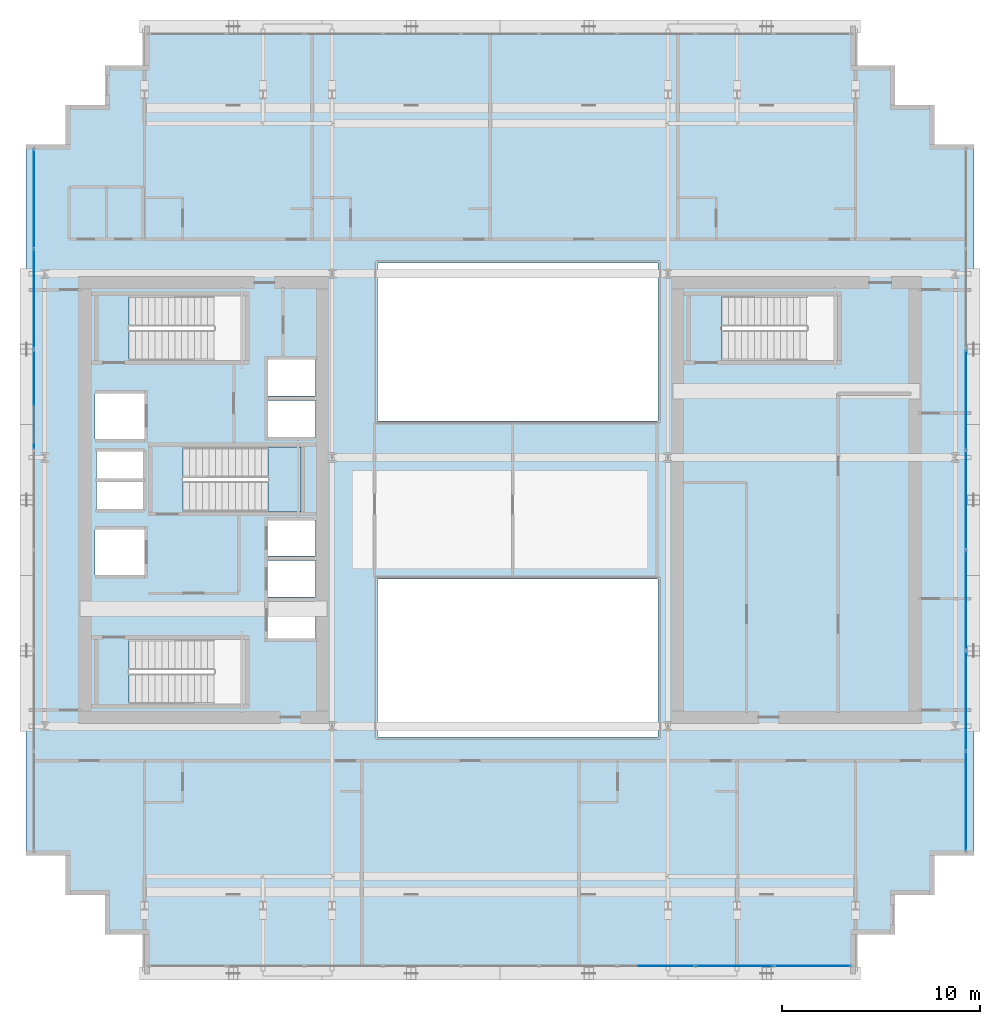
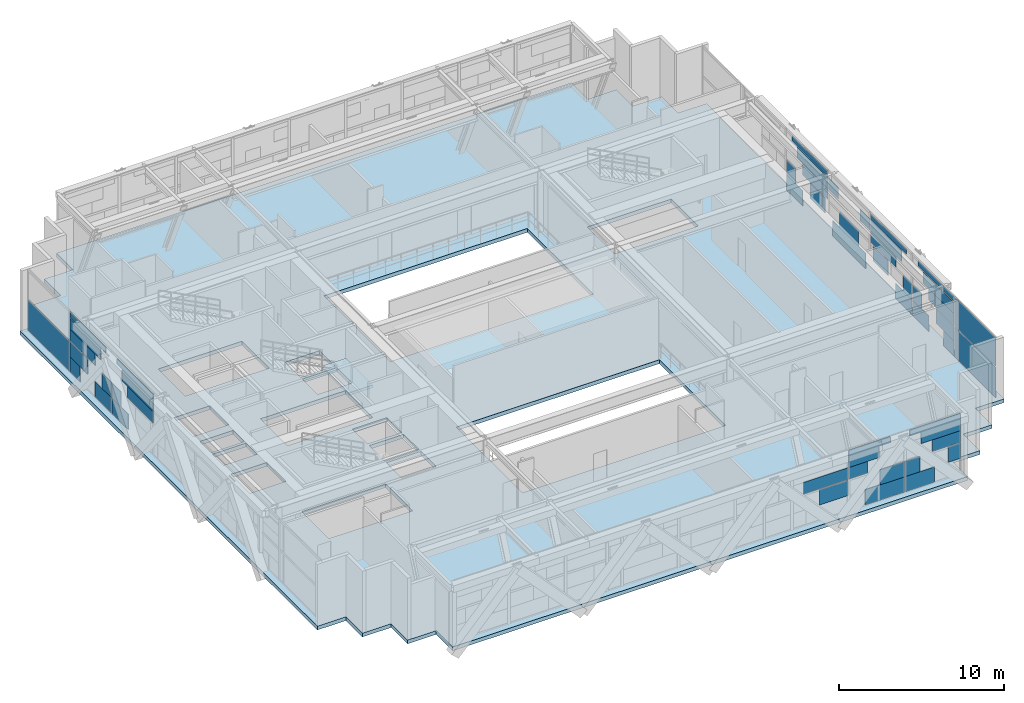
# One storey, part 24 of 35: 51 plates, 2 slabs, 4 elements without a shape of their own.
"""IFC4 building model written with IfcOpenShell, lengths in metres."""

from ifc_helpers import new_model, si_unit, direction, frame, origin, origin_2d, place, context, subcontext, project, spatial, polyline, rectangle, outline, extrude, source, transform, mapped, material, layer, layer_set, type_object, element, aggregate, save


model = new_model("IFC4")

# Units and contexts
model_context = context("Model", 3, precision=1e-05, world=origin(), true_north=direction((0.0, 1.0)))
body_context = subcontext(model_context, "Body", "Model", "MODEL_VIEW")
ifc_project = project(units=[si_unit("LENGTHUNIT", "METRE"), si_unit("AREAUNIT", "SQUARE_METRE"), si_unit("VOLUMEUNIT", "CUBIC_METRE"), si_unit("PLANEANGLEUNIT", "RADIAN"), si_unit("MASSUNIT", "GRAM", prefix="KILO")], contexts=[model_context])

# Site, building, storey
site_placement = place(None, origin())
site = spatial("IfcSite", under=ifc_project, at=site_placement, CompositionType="ELEMENT")
building_placement = place(site_placement, origin())
building = spatial("IfcBuilding", under=site, at=building_placement, Name="Ocotamira Hotel", CompositionType="ELEMENT")
storey_placement = place(building_placement, frame((0.0, 0.0, 158.39990234375)))
storey = spatial("IfcBuildingStorey", under=building, at=storey_placement, Name="L39", CompositionType="ELEMENT", Elevation=158.39990234375)

# Stair, slab
ifc_material_1 = material(Name="Concrete C40/50", Category="concrete")
stair_type = type_object("IfcStairType", Name="ST-CORE-1560", PredefinedType="HALF_TURN_STAIR", material=ifc_material_1)
stair_placement = place(storey_placement, origin())
stair = element("IfcStair", 1, at=stair_placement, inside=storey, type_object=stair_type, Name="L39 Exit Stair ST-3", PredefinedType="HALF_TURN_STAIR")
ifc_layer_1 = layer(ifc_material_1, 0.199951171875)
ifc_layer_set_1 = layer_set([ifc_layer_1], Name="Concrete C40/50")
slab_type_1 = type_object("IfcSlabType", Name="SLB-LAND-200", PredefinedType="LANDING", material=ifc_layer_set_1)
slab_1_placement = place(storey_placement, frame((0.0, 0.0, 2.2001953125)))
slab_1 = element("IfcSlab", 2, at=slab_1_placement, type_object=slab_type_1, Name="ST-3 landing 1", PredefinedType="LANDING", context=body_context, shape_type="SweptSolid", body=[
    extrude(outline(polyline([(20.25, 25.39990234375), (21.919921875, 25.39990234375), (21.919921875, 28.679931640625), (20.25, 28.679931640625), (20.25, 25.39990234375)])), origin(), (0.0, 0.0, 1.0), 0.199951171875),
])
aggregate(stair, [slab_1])

# Slab
ifc_layer_2 = layer(ifc_material_1, 0.280029296875)
ifc_layer_set_2 = layer_set([ifc_layer_2], Name="Concrete C40/50")
slab_type_2 = type_object("IfcSlabType", Name="SLB-SKY-280", PredefinedType="FLOOR", material=ifc_layer_set_2)
slab_2_placement = place(storey_placement, frame((0.0, 0.0, -0.27978515625)))
element("IfcSlab", 3, at=slab_2_placement, inside=storey, type_object=slab_type_2, Name="L39 Structural Floor Slab", PredefinedType="FLOOR", context=body_context, shape_type="SweptSolid", body=[
    extrude(outline(polyline([(14.0, 2.0), (50.0, 2.0), (50.0, 4.0), (52.0, 4.0), (52.0, 6.0), (54.0, 6.0), (54.0, 8.0), (56.0, 8.0), (56.0, 44.0), (54.0, 44.0), (54.0, 46.0), (52.0, 46.0), (52.0, 48.0), (50.0, 48.0), (50.0, 50.0), (14.0, 50.0), (14.0, 48.0), (12.0, 48.0), (12.0, 46.0), (10.0, 46.0), (10.0, 44.0), (8.0, 44.0), (8.0, 8.0), (10.0, 8.0), (10.0, 6.0), (12.0, 6.0), (12.0, 4.0), (14.0, 4.0), (14.0, 2.0)]), holes=[polyline([(25.800048828125, 14.0), (40.0, 14.0), (40.0, 22.0), (25.800048828125, 22.0), (25.800048828125, 14.0)]), polyline([(25.800048828125, 30.0), (40.0, 30.0), (40.0, 38.0), (25.800048828125, 38.0), (25.800048828125, 30.0)]), polyline([(13.22998046875, 15.669921875), (19.090087890625, 15.669921875), (19.090087890625, 18.949951171875), (13.22998046875, 18.949951171875), (13.22998046875, 15.669921875)]), polyline([(13.22998046875, 33.050048828125), (19.090087890625, 33.050048828125), (19.090087890625, 36.330078125), (13.22998046875, 36.330078125), (13.22998046875, 33.050048828125)]), polyline([(15.9599609375, 25.39990234375), (21.919921875, 25.39990234375), (21.919921875, 28.679931640625), (15.9599609375, 28.679931640625), (15.9599609375, 25.39990234375)]), polyline([(43.22998046875, 33.050048828125), (49.090087890625, 33.050048828125), (49.090087890625, 36.330078125), (43.22998046875, 36.330078125), (43.22998046875, 33.050048828125)]), polyline([(20.25, 19.0), (22.659912109375, 19.0), (22.659912109375, 20.85009765625), (20.25, 20.85009765625), (20.25, 19.0)]), polyline([(20.25, 21.080078125), (22.659912109375, 21.080078125), (22.659912109375, 22.929931640625), (20.25, 22.929931640625), (20.25, 21.080078125)]), polyline([(20.25, 23.159912109375), (22.659912109375, 23.159912109375), (22.659912109375, 24.9599609375), (20.25, 24.9599609375), (20.25, 23.159912109375)]), polyline([(20.25, 29.179931640625), (22.659912109375, 29.179931640625), (22.659912109375, 31.030029296875), (20.25, 31.030029296875), (20.25, 29.179931640625)]), polyline([(20.25, 31.260009765625), (22.659912109375, 31.260009765625), (22.659912109375, 33.110107421875), (20.25, 33.110107421875), (20.25, 31.260009765625)]), polyline([(11.5, 22.199951171875), (14.0, 22.199951171875), (14.0, 24.5), (11.5, 24.5), (11.5, 22.199951171875)]), polyline([(11.5, 29.10009765625), (14.0, 29.10009765625), (14.0, 31.39990234375), (11.5, 31.39990234375), (11.5, 29.10009765625)]), polyline([(11.580078125, 25.550048828125), (13.919921875, 25.550048828125), (13.919921875, 26.89990234375), (11.580078125, 26.89990234375), (11.580078125, 25.550048828125)]), polyline([(11.580078125, 27.10009765625), (13.919921875, 27.10009765625), (13.919921875, 28.449951171875), (11.580078125, 28.449951171875), (11.580078125, 27.10009765625)])]), origin(), (0.0, 0.0, 1.0), 0.27978515625),
])

# Curtain wall, plate
ifc_material_2 = material(Name="Anodised pale-metal aluminium and solar glass", Category="aluminium")
ifc_layer_3 = layer(ifc_material_2, 0.239990234375)
ifc_layer_set_3 = layer_set([ifc_layer_3], Name="Anodised pale-metal aluminium and solar glass")
curtain_wall_type = type_object("IfcCurtainWallType", Name="CW-SYS5-SKY", PredefinedType="NOTDEFINED", material=ifc_layer_set_3)
curtain_wall_1_placement = place(storey_placement, origin())
curtain_wall_1 = element("IfcCurtainWall", 4, at=curtain_wall_1_placement, inside=storey, type_object=curtain_wall_type, Name="L39 Curtain Wall CW-5 CW-L39-W", PredefinedType="NOTDEFINED")
ifc_material_3 = material(Name="Double-silver low-E insulated solar glass", Category="glass")
ifc_layer_4 = layer(ifc_material_3, 0.031982421875)
ifc_layer_set_4 = layer_set([ifc_layer_4], Name="Double-silver low-E insulated solar glass")
plate_type = type_object("IfcPlateType", Name="CWP-VISION-32", PredefinedType="CURTAIN_PANEL", material=ifc_layer_set_4)
shared_shape_1 = source(origin(), body_context, "Body", "SweptSolid", [
    extrude(rectangle(XDim=4.9658203125, YDim=0.031982421875, at=origin_2d()), origin(), (0.0, 0.0, 1.0), 2.237548828125),
])
plate_1_placement = place(storey_placement, frame((8.419921875, 41.237060546875, 0.0751953125), z_axis=(0.0, 0.0, 1.0), x_axis=(0.0, 1.0, 0.0)))
plate_1 = element("IfcPlate", 5, at=plate_1_placement, type_object=plate_type, Name="CW-5 panel 7.1", PredefinedType="CURTAIN_PANEL", context=body_context, shape_type="MappedRepresentation", body=[
    mapped(shared_shape_1, transform((0.0, 0.0, 0.0), scale=1.0)),
])

curtain_wall_2_placement = place(storey_placement, origin())
curtain_wall_2 = element("IfcCurtainWall", 6, at=curtain_wall_2_placement, inside=storey, type_object=curtain_wall_type, Name="L39 Curtain Wall CW-5 CW-L39-E", PredefinedType="NOTDEFINED")
plate_2_placement = place(storey_placement, frame((55.580078125, 10.762939453125, 0.0751953125), z_axis=(0.0, 0.0, 1.0), x_axis=(0.0, 1.0, 0.0)))
plate_2 = element("IfcPlate", 7, at=plate_2_placement, type_object=plate_type, Name="CW-5 panel 1.1", PredefinedType="CURTAIN_PANEL", context=body_context, shape_type="MappedRepresentation", body=[
    mapped(shared_shape_1, transform((0.0, 0.0, 0.0), scale=1.0)),
])

# Curtain wall, plates
curtain_wall_3_placement = place(storey_placement, origin())
curtain_wall_3 = element("IfcCurtainWall", 8, at=curtain_wall_3_placement, inside=storey, type_object=curtain_wall_type, Name="L39 Curtain Wall CW-5 CW-L39-S1", PredefinedType="NOTDEFINED")
shared_shape_2 = source(origin(), body_context, "Body", "SweptSolid", [
    extrude(rectangle(XDim=0.841796875, YDim=0.031982421875, at=origin_2d()), origin(), (0.0, 0.0, 1.0), 1.118896484375),
])
plate_3_placement = place(storey_placement, frame((49.299072265625, 2.419921875, 1.19384765625), z_axis=(0.0, 0.0, 1.0), x_axis=(1.0, 0.0, 0.0)))
plate_3 = element("IfcPlate", 9, at=plate_3_placement, type_object=plate_type, Name="CW-5 panel 9.1.3", PredefinedType="CURTAIN_PANEL", context=body_context, shape_type="MappedRepresentation", body=[
    mapped(shared_shape_2, transform((0.0, 0.0, 0.0), scale=1.0)),
])
shared_shape_3 = source(origin(), body_context, "Body", "SweptSolid", [
    extrude(rectangle(XDim=2.038818359375, YDim=0.031982421875, at=origin_2d()), origin(), (0.0, 0.0, 1.0), 1.118896484375),
])
plate_4_placement = place(storey_placement, frame((46.90380859375, 2.419921875, 0.0751953125), z_axis=(0.0, 0.0, 1.0), x_axis=(1.0, 0.0, 0.0)))
plate_4 = element("IfcPlate", 10, at=plate_4_placement, type_object=plate_type, Name="CW-5 panel 9.1.1", PredefinedType="CURTAIN_PANEL", context=body_context, shape_type="MappedRepresentation", body=[
    mapped(shared_shape_3, transform((0.0, 0.0, 0.0), scale=1.0)),
])
shared_shape_4 = source(origin(), body_context, "Body", "SweptSolid", [
    extrude(rectangle(XDim=1.000732421875, YDim=0.031982421875, at=origin_2d()), origin(), (0.0, 0.0, 1.0), 1.118896484375),
])
plate_5_placement = place(storey_placement, frame((46.384765625, 2.419921875, 1.19384765625), z_axis=(0.0, 0.0, 1.0), x_axis=(1.0, 0.0, 0.0)))
plate_5 = element("IfcPlate", 11, at=plate_5_placement, type_object=plate_type, Name="CW-5 panel 9.1.2", PredefinedType="CURTAIN_PANEL", context=body_context, shape_type="MappedRepresentation", body=[
    mapped(shared_shape_4, transform((0.0, 0.0, 0.0), scale=1.0)),
])
shared_shape_5 = source(origin(), body_context, "Body", "SweptSolid", [
    extrude(rectangle(XDim=1.949462890625, YDim=0.031982421875, at=origin_2d()), origin(), (0.0, 0.0, 1.0), 0.8564453125),
])
plate_6_placement = place(storey_placement, frame((48.7451171875, 2.419921875, 2.3876953125), z_axis=(0.0, 0.0, 1.0), x_axis=(1.0, 0.0, 0.0)))
plate_6 = element("IfcPlate", 12, at=plate_6_placement, type_object=plate_type, Name="CW-5 panel 9.2.3", PredefinedType="CURTAIN_PANEL", context=body_context, shape_type="MappedRepresentation", body=[
    mapped(shared_shape_5, transform((0.0, 0.0, 0.0), scale=1.0)),
])
shared_shape_6 = source(origin(), body_context, "Body", "SweptSolid", [
    extrude(rectangle(XDim=2.744140625, YDim=0.031982421875, at=origin_2d()), origin(), (0.0, 0.0, 1.0), 0.8564453125),
])
plate_7_placement = place(storey_placement, frame((48.347900390625, 2.419921875, 3.243896484375), z_axis=(0.0, 0.0, 1.0), x_axis=(1.0, 0.0, 0.0)))
plate_7 = element("IfcPlate", 13, at=plate_7_placement, type_object=plate_type, Name="CW-5 panel 9.2.2", PredefinedType="CURTAIN_PANEL", context=body_context, shape_type="MappedRepresentation", body=[
    mapped(shared_shape_6, transform((0.0, 0.0, 0.0), scale=1.0)),
])
shared_shape_7 = source(origin(), body_context, "Body", "SweptSolid", [
    extrude(rectangle(XDim=3.538818359375, YDim=0.031982421875, at=origin_2d()), origin(), (0.0, 0.0, 1.0), 0.394775390625),
])
plate_8_placement = place(storey_placement, frame((47.95068359375, 2.419921875, 4.10009765625), z_axis=(0.0, 0.0, 1.0), x_axis=(1.0, 0.0, 0.0)))
plate_8 = element("IfcPlate", 14, at=plate_8_placement, type_object=plate_type, Name="CW-5 panel 9.2.1", PredefinedType="CURTAIN_PANEL", context=body_context, shape_type="MappedRepresentation", body=[
    mapped(shared_shape_7, transform((0.0, 0.0, 0.0), scale=1.0)),
])
shared_shape_8 = source(origin(), body_context, "Body", "SweptSolid", [
    extrude(rectangle(XDim=2.7275390625, YDim=0.031982421875, at=origin_2d()), origin(), (0.0, 0.0, 1.0), 1.118896484375),
])
plate_9_placement = place(storey_placement, frame((44.440673828125, 2.419921875, 0.0751953125), z_axis=(0.0, 0.0, 1.0), x_axis=(1.0, 0.0, 0.0)))
plate_9 = element("IfcPlate", 15, at=plate_9_placement, type_object=plate_type, Name="CW-5 panel 8.1.1", PredefinedType="CURTAIN_PANEL", context=body_context, shape_type="MappedRepresentation", body=[
    mapped(shared_shape_8, transform((0.0, 0.0, 0.0), scale=1.0)),
])
shared_shape_9 = source(origin(), body_context, "Body", "SweptSolid", [
    extrude(rectangle(XDim=1.689697265625, YDim=0.031982421875, at=origin_2d()), origin(), (0.0, 0.0, 1.0), 1.118896484375),
])
plate_10_placement = place(storey_placement, frame((44.959716796875, 2.419921875, 1.19384765625), z_axis=(0.0, 0.0, 1.0), x_axis=(1.0, 0.0, 0.0)))
plate_10 = element("IfcPlate", 16, at=plate_10_placement, type_object=plate_type, Name="CW-5 panel 8.1.2", PredefinedType="CURTAIN_PANEL", context=body_context, shape_type="MappedRepresentation", body=[
    mapped(shared_shape_9, transform((0.0, 0.0, 0.0), scale=1.0)),
])
shared_shape_10 = source(origin(), body_context, "Body", "SweptSolid", [
    extrude(rectangle(XDim=2.889892578125, YDim=0.031982421875, at=origin_2d()), origin(), (0.0, 0.0, 1.0), 0.394775390625),
])
plate_11_placement = place(storey_placement, frame((43.373779296875, 2.419921875, 4.10009765625), z_axis=(0.0, 0.0, 1.0), x_axis=(1.0, 0.0, 0.0)))
plate_11 = element("IfcPlate", 17, at=plate_11_placement, type_object=plate_type, Name="CW-5 panel 8.2.3", PredefinedType="CURTAIN_PANEL", context=body_context, shape_type="MappedRepresentation", body=[
    mapped(shared_shape_10, transform((0.0, 0.0, 0.0), scale=1.0)),
])
shared_shape_11 = source(origin(), body_context, "Body", "SweptSolid", [
    extrude(rectangle(XDim=2.09521484375, YDim=0.031982421875, at=origin_2d()), origin(), (0.0, 0.0, 1.0), 0.8564453125),
])
plate_12_placement = place(storey_placement, frame((42.9765625, 2.419921875, 3.243896484375), z_axis=(0.0, 0.0, 1.0), x_axis=(1.0, 0.0, 0.0)))
plate_12 = element("IfcPlate", 18, at=plate_12_placement, type_object=plate_type, Name="CW-5 panel 8.2.2", PredefinedType="CURTAIN_PANEL", context=body_context, shape_type="MappedRepresentation", body=[
    mapped(shared_shape_11, transform((0.0, 0.0, 0.0), scale=1.0)),
])
shared_shape_12 = source(origin(), body_context, "Body", "SweptSolid", [
    extrude(rectangle(XDim=1.300537109375, YDim=0.031982421875, at=origin_2d()), origin(), (0.0, 0.0, 1.0), 0.8564453125),
])
plate_13_placement = place(storey_placement, frame((42.5791015625, 2.419921875, 2.3876953125), z_axis=(0.0, 0.0, 1.0), x_axis=(1.0, 0.0, 0.0)))
plate_13 = element("IfcPlate", 19, at=plate_13_placement, type_object=plate_type, Name="CW-5 panel 8.2.1", PredefinedType="CURTAIN_PANEL", context=body_context, shape_type="MappedRepresentation", body=[
    mapped(shared_shape_12, transform((0.0, 0.0, 0.0), scale=1.0)),
])
shared_shape_13 = source(origin(), body_context, "Body", "SweptSolid", [
    extrude(rectangle(XDim=1.970703125, YDim=0.031982421875, at=origin_2d()), origin(), (0.0, 0.0, 1.0), 1.118896484375),
])
plate_14_placement = place(storey_placement, frame((40.863525390625, 2.419921875, 1.19384765625), z_axis=(0.0, 0.0, 1.0), x_axis=(1.0, 0.0, 0.0)))
plate_14 = element("IfcPlate", 20, at=plate_14_placement, type_object=plate_type, Name="CW-5 panel 7.1.2", PredefinedType="CURTAIN_PANEL", context=body_context, shape_type="MappedRepresentation", body=[
    mapped(shared_shape_13, transform((0.0, 0.0, 0.0), scale=1.0)),
])
shared_shape_14 = source(origin(), body_context, "Body", "SweptSolid", [
    extrude(rectangle(XDim=3.078369140625, YDim=0.031982421875, at=origin_2d()), origin(), (0.0, 0.0, 1.0), 0.8564453125),
])
plate_15_placement = place(storey_placement, frame((40.309814453125, 2.419921875, 2.3876953125), z_axis=(0.0, 0.0, 1.0), x_axis=(1.0, 0.0, 0.0)))
plate_15 = element("IfcPlate", 21, at=plate_15_placement, type_object=plate_type, Name="CW-5 panel 7.2.3", PredefinedType="CURTAIN_PANEL", context=body_context, shape_type="MappedRepresentation", body=[
    mapped(shared_shape_14, transform((0.0, 0.0, 0.0), scale=1.0)),
])
aggregate(curtain_wall_3, [plate_14, plate_15, plate_9, plate_10, plate_13, plate_12, plate_11, plate_4, plate_5, plate_3, plate_8, plate_7, plate_6])

# Plate
shared_shape_15 = source(origin(), body_context, "Body", "SweptSolid", [
    extrude(rectangle(XDim=4.9658203125, YDim=0.031982421875, at=origin_2d()), origin(), (0.0, 0.0, 1.0), 2.107421875),
])
plate_16_placement = place(storey_placement, frame((55.580078125, 10.762939453125, 2.3876953125), z_axis=(0.0, 0.0, 1.0), x_axis=(0.0, 1.0, 0.0)))
plate_16 = element("IfcPlate", 22, at=plate_16_placement, type_object=plate_type, Name="CW-5 panel 1.2", PredefinedType="CURTAIN_PANEL", context=body_context, shape_type="MappedRepresentation", body=[
    mapped(shared_shape_15, transform((0.0, 0.0, 0.0), scale=1.0)),
])

shared_shape_16 = source(origin(), body_context, "Body", "SweptSolid", [
    extrude(rectangle(XDim=1.2548828125, YDim=0.031982421875, at=origin_2d()), origin(), (0.0, 0.0, 1.0), 1.118896484375),
])
plate_17_placement = place(storey_placement, frame((8.419921875, 38.046875, 0.0751953125), z_axis=(0.0, 0.0, 1.0), x_axis=(0.0, 1.0, 0.0)))
plate_17 = element("IfcPlate", 23, at=plate_17_placement, type_object=plate_type, Name="CW-5 panel 6.1.4", PredefinedType="CURTAIN_PANEL", context=body_context, shape_type="MappedRepresentation", body=[
    mapped(shared_shape_16, transform((0.0, 0.0, 0.0), scale=1.0)),
])

plate_18_placement = place(storey_placement, frame((55.580078125, 13.953125, 0.0751953125), z_axis=(0.0, 0.0, 1.0), x_axis=(0.0, 1.0, 0.0)))
plate_18 = element("IfcPlate", 24, at=plate_18_placement, type_object=plate_type, Name="CW-5 panel 2.1.1", PredefinedType="CURTAIN_PANEL", context=body_context, shape_type="MappedRepresentation", body=[
    mapped(shared_shape_16, transform((0.0, 0.0, 0.0), scale=1.0)),
])

shared_shape_17 = source(origin(), body_context, "Body", "SweptSolid", [
    extrude(rectangle(XDim=2.135498046875, YDim=0.031982421875, at=origin_2d()), origin(), (0.0, 0.0, 1.0), 1.118896484375),
])
plate_19_placement = place(storey_placement, frame((8.419921875, 37.606689453125, 1.19384765625), z_axis=(0.0, 0.0, 1.0), x_axis=(0.0, 1.0, 0.0)))
plate_19 = element("IfcPlate", 25, at=plate_19_placement, type_object=plate_type, Name="CW-5 panel 6.1.3", PredefinedType="CURTAIN_PANEL", context=body_context, shape_type="MappedRepresentation", body=[
    mapped(shared_shape_17, transform((0.0, 0.0, 0.0), scale=1.0)),
])

plate_20_placement = place(storey_placement, frame((55.580078125, 14.393310546875, 1.19384765625), z_axis=(0.0, 0.0, 1.0), x_axis=(0.0, 1.0, 0.0)))
plate_20 = element("IfcPlate", 26, at=plate_20_placement, type_object=plate_type, Name="CW-5 panel 2.1.2", PredefinedType="CURTAIN_PANEL", context=body_context, shape_type="MappedRepresentation", body=[
    mapped(shared_shape_17, transform((0.0, 0.0, 0.0), scale=1.0)),
])

shared_shape_18 = source(origin(), body_context, "Body", "SweptSolid", [
    extrude(rectangle(XDim=1.9794921875, YDim=0.031982421875, at=origin_2d()), origin(), (0.0, 0.0, 1.0), 1.118896484375),
])
plate_21_placement = place(storey_placement, frame((8.419921875, 34.658447265625, 0.0751953125), z_axis=(0.0, 0.0, 1.0), x_axis=(0.0, 1.0, 0.0)))
plate_21 = element("IfcPlate", 27, at=plate_21_placement, type_object=plate_type, Name="CW-5 panel 6.1.1", PredefinedType="CURTAIN_PANEL", context=body_context, shape_type="MappedRepresentation", body=[
    mapped(shared_shape_18, transform((0.0, 0.0, 0.0), scale=1.0)),
])

plate_22_placement = place(storey_placement, frame((55.580078125, 17.341552734375, 0.0751953125), z_axis=(0.0, 0.0, 1.0), x_axis=(0.0, 1.0, 0.0)))
plate_22 = element("IfcPlate", 28, at=plate_22_placement, type_object=plate_type, Name="CW-5 panel 2.1.3", PredefinedType="CURTAIN_PANEL", context=body_context, shape_type="MappedRepresentation", body=[
    mapped(shared_shape_18, transform((0.0, 0.0, 0.0), scale=1.0)),
])

shared_shape_19 = source(origin(), body_context, "Body", "SweptSolid", [
    extrude(rectangle(XDim=1.09912109375, YDim=0.031982421875, at=origin_2d()), origin(), (0.0, 0.0, 1.0), 1.118896484375),
])
plate_23_placement = place(storey_placement, frame((8.419921875, 34.21826171875, 1.19384765625), z_axis=(0.0, 0.0, 1.0), x_axis=(0.0, 1.0, 0.0)))
plate_23 = element("IfcPlate", 29, at=plate_23_placement, type_object=plate_type, Name="CW-5 panel 6.1.2", PredefinedType="CURTAIN_PANEL", context=body_context, shape_type="MappedRepresentation", body=[
    mapped(shared_shape_19, transform((0.0, 0.0, 0.0), scale=1.0)),
])

plate_24_placement = place(storey_placement, frame((55.580078125, 17.78173828125, 1.19384765625), z_axis=(0.0, 0.0, 1.0), x_axis=(0.0, 1.0, 0.0)))
plate_24 = element("IfcPlate", 30, at=plate_24_placement, type_object=plate_type, Name="CW-5 panel 2.1.4", PredefinedType="CURTAIN_PANEL", context=body_context, shape_type="MappedRepresentation", body=[
    mapped(shared_shape_19, transform((0.0, 0.0, 0.0), scale=1.0)),
])

shared_shape_20 = source(origin(), body_context, "Body", "SweptSolid", [
    extrude(rectangle(XDim=3.07470703125, YDim=0.031982421875, at=origin_2d()), origin(), (0.0, 0.0, 1.0), 0.830322265625),
])
plate_25_placement = place(storey_placement, frame((8.419921875, 37.136962890625, 2.3876953125), z_axis=(0.0, 0.0, 1.0), x_axis=(0.0, 1.0, 0.0)))
plate_25 = element("IfcPlate", 31, at=plate_25_placement, type_object=plate_type, Name="CW-5 panel 6.2.3", PredefinedType="CURTAIN_PANEL", context=body_context, shape_type="MappedRepresentation", body=[
    mapped(shared_shape_20, transform((0.0, 0.0, 0.0), scale=1.0)),
])

plate_26_placement = place(storey_placement, frame((55.580078125, 14.863037109375, 2.3876953125), z_axis=(0.0, 0.0, 1.0), x_axis=(0.0, 1.0, 0.0)))
plate_26 = element("IfcPlate", 32, at=plate_26_placement, type_object=plate_type, Name="CW-5 panel 2.2.1", PredefinedType="CURTAIN_PANEL", context=body_context, shape_type="MappedRepresentation", body=[
    mapped(shared_shape_20, transform((0.0, 0.0, 0.0), scale=1.0)),
])

shared_shape_21 = source(origin(), body_context, "Body", "SweptSolid", [
    extrude(rectangle(XDim=3.728271484375, YDim=0.031982421875, at=origin_2d()), origin(), (0.0, 0.0, 1.0), 0.830322265625),
])
plate_27_placement = place(storey_placement, frame((8.419921875, 36.810302734375, 3.21826171875), z_axis=(0.0, 0.0, 1.0), x_axis=(0.0, 1.0, 0.0)))
plate_27 = element("IfcPlate", 33, at=plate_27_placement, type_object=plate_type, Name="CW-5 panel 6.2.2", PredefinedType="CURTAIN_PANEL", context=body_context, shape_type="MappedRepresentation", body=[
    mapped(shared_shape_21, transform((0.0, 0.0, 0.0), scale=1.0)),
])

plate_28_placement = place(storey_placement, frame((55.580078125, 15.189697265625, 3.21826171875), z_axis=(0.0, 0.0, 1.0), x_axis=(0.0, 1.0, 0.0)))
plate_28 = element("IfcPlate", 34, at=plate_28_placement, type_object=plate_type, Name="CW-5 panel 2.2.2", PredefinedType="CURTAIN_PANEL", context=body_context, shape_type="MappedRepresentation", body=[
    mapped(shared_shape_21, transform((0.0, 0.0, 0.0), scale=1.0)),
])

shared_shape_22 = source(origin(), body_context, "Body", "SweptSolid", [
    extrude(rectangle(XDim=4.34521484375, YDim=0.031982421875, at=origin_2d()), origin(), (0.0, 0.0, 1.0), 0.371826171875),
])
plate_29_placement = place(storey_placement, frame((8.419921875, 36.501708984375, 4.123046875), z_axis=(0.0, 0.0, 1.0), x_axis=(0.0, 1.0, 0.0)))
plate_29 = element("IfcPlate", 35, at=plate_29_placement, type_object=plate_type, Name="CW-5 panel 6.2.1", PredefinedType="CURTAIN_PANEL", context=body_context, shape_type="MappedRepresentation", body=[
    mapped(shared_shape_22, transform((0.0, 0.0, 0.0), scale=1.0)),
])

plate_30_placement = place(storey_placement, frame((55.580078125, 15.498291015625, 4.123046875), z_axis=(0.0, 0.0, 1.0), x_axis=(0.0, 1.0, 0.0)))
plate_30 = element("IfcPlate", 36, at=plate_30_placement, type_object=plate_type, Name="CW-5 panel 2.2.3", PredefinedType="CURTAIN_PANEL", context=body_context, shape_type="MappedRepresentation", body=[
    mapped(shared_shape_22, transform((0.0, 0.0, 0.0), scale=1.0)),
])

shared_shape_23 = source(origin(), body_context, "Body", "SweptSolid", [
    extrude(rectangle(XDim=1.969970703125, YDim=0.031982421875, at=origin_2d()), origin(), (0.0, 0.0, 1.0), 1.118896484375),
])
plate_31_placement = place(storey_placement, frame((8.419921875, 32.603515625, 0.0751953125), z_axis=(0.0, 0.0, 1.0), x_axis=(0.0, 1.0, 0.0)))
plate_31 = element("IfcPlate", 37, at=plate_31_placement, type_object=plate_type, Name="CW-5 panel 5.1.2", PredefinedType="CURTAIN_PANEL", context=body_context, shape_type="MappedRepresentation", body=[
    mapped(shared_shape_23, transform((0.0, 0.0, 0.0), scale=1.0)),
])

plate_32_placement = place(storey_placement, frame((55.580078125, 19.396484375, 0.0751953125), z_axis=(0.0, 0.0, 1.0), x_axis=(0.0, 1.0, 0.0)))
plate_32 = element("IfcPlate", 38, at=plate_32_placement, type_object=plate_type, Name="CW-5 panel 3.1.1", PredefinedType="CURTAIN_PANEL", context=body_context, shape_type="MappedRepresentation", body=[
    mapped(shared_shape_23, transform((0.0, 0.0, 0.0), scale=1.0)),
])

plate_33_placement = place(storey_placement, frame((55.580078125, 32.603515625, 0.0751953125), z_axis=(0.0, 0.0, 1.0), x_axis=(0.0, 1.0, 0.0)))
plate_33 = element("IfcPlate", 39, at=plate_33_placement, type_object=plate_type, Name="CW-5 panel 5.1.2", PredefinedType="CURTAIN_PANEL", context=body_context, shape_type="MappedRepresentation", body=[
    mapped(shared_shape_23, transform((0.0, 0.0, 0.0), scale=1.0)),
])

shared_shape_24 = source(origin(), body_context, "Body", "SweptSolid", [
    extrude(rectangle(XDim=1.089599609375, YDim=0.031982421875, at=origin_2d()), origin(), (0.0, 0.0, 1.0), 1.118896484375),
])
plate_34_placement = place(storey_placement, frame((8.419921875, 33.043701171875, 1.19384765625), z_axis=(0.0, 0.0, 1.0), x_axis=(0.0, 1.0, 0.0)))
plate_34 = element("IfcPlate", 40, at=plate_34_placement, type_object=plate_type, Name="CW-5 panel 5.1.3", PredefinedType="CURTAIN_PANEL", context=body_context, shape_type="MappedRepresentation", body=[
    mapped(shared_shape_24, transform((0.0, 0.0, 0.0), scale=1.0)),
])

plate_35_placement = place(storey_placement, frame((55.580078125, 18.956298828125, 1.19384765625), z_axis=(0.0, 0.0, 1.0), x_axis=(0.0, 1.0, 0.0)))
plate_35 = element("IfcPlate", 41, at=plate_35_placement, type_object=plate_type, Name="CW-5 panel 3.1.2", PredefinedType="CURTAIN_PANEL", context=body_context, shape_type="MappedRepresentation", body=[
    mapped(shared_shape_24, transform((0.0, 0.0, 0.0), scale=1.0)),
])

plate_36_placement = place(storey_placement, frame((55.580078125, 33.043701171875, 1.19384765625), z_axis=(0.0, 0.0, 1.0), x_axis=(0.0, 1.0, 0.0)))
plate_36 = element("IfcPlate", 42, at=plate_36_placement, type_object=plate_type, Name="CW-5 panel 5.1.3", PredefinedType="CURTAIN_PANEL", context=body_context, shape_type="MappedRepresentation", body=[
    mapped(shared_shape_24, transform((0.0, 0.0, 0.0), scale=1.0)),
])

shared_shape_25 = source(origin(), body_context, "Body", "SweptSolid", [
    extrude(rectangle(XDim=1.822265625, YDim=0.031982421875, at=origin_2d()), origin(), (0.0, 0.0, 1.0), 1.118896484375),
])
plate_37_placement = place(storey_placement, frame((55.580078125, 22.183349609375, 1.19384765625), z_axis=(0.0, 0.0, 1.0), x_axis=(0.0, 1.0, 0.0)))
plate_37 = element("IfcPlate", 43, at=plate_37_placement, type_object=plate_type, Name="CW-5 panel 3.1.3", PredefinedType="CURTAIN_PANEL", context=body_context, shape_type="MappedRepresentation", body=[
    mapped(shared_shape_25, transform((0.0, 0.0, 0.0), scale=1.0)),
])

plate_38_placement = place(storey_placement, frame((55.580078125, 29.816650390625, 1.19384765625), z_axis=(0.0, 0.0, 1.0), x_axis=(0.0, 1.0, 0.0)))
plate_38 = element("IfcPlate", 44, at=plate_38_placement, type_object=plate_type, Name="CW-5 panel 5.1.1", PredefinedType="CURTAIN_PANEL", context=body_context, shape_type="MappedRepresentation", body=[
    mapped(shared_shape_25, transform((0.0, 0.0, 0.0), scale=1.0)),
])

shared_shape_26 = source(origin(), body_context, "Body", "SweptSolid", [
    extrude(rectangle(XDim=4.35498046875, YDim=0.031982421875, at=origin_2d()), origin(), (0.0, 0.0, 1.0), 0.371826171875),
])
plate_39_placement = place(storey_placement, frame((8.419921875, 30.76025390625, 4.123046875), z_axis=(0.0, 0.0, 1.0), x_axis=(0.0, 1.0, 0.0)))
plate_39 = element("IfcPlate", 45, at=plate_39_placement, type_object=plate_type, Name="CW-5 panel 5.2.3", PredefinedType="CURTAIN_PANEL", context=body_context, shape_type="MappedRepresentation", body=[
    mapped(shared_shape_26, transform((0.0, 0.0, 0.0), scale=1.0)),
])

plate_40_placement = place(storey_placement, frame((55.580078125, 21.23974609375, 4.123046875), z_axis=(0.0, 0.0, 1.0), x_axis=(0.0, 1.0, 0.0)))
plate_40 = element("IfcPlate", 46, at=plate_40_placement, type_object=plate_type, Name="CW-5 panel 3.2.1", PredefinedType="CURTAIN_PANEL", context=body_context, shape_type="MappedRepresentation", body=[
    mapped(shared_shape_26, transform((0.0, 0.0, 0.0), scale=1.0)),
])

plate_41_placement = place(storey_placement, frame((55.580078125, 30.76025390625, 4.123046875), z_axis=(0.0, 0.0, 1.0), x_axis=(0.0, 1.0, 0.0)))
plate_41 = element("IfcPlate", 47, at=plate_41_placement, type_object=plate_type, Name="CW-5 panel 5.2.3", PredefinedType="CURTAIN_PANEL", context=body_context, shape_type="MappedRepresentation", body=[
    mapped(shared_shape_26, transform((0.0, 0.0, 0.0), scale=1.0)),
])

shared_shape_27 = source(origin(), body_context, "Body", "SweptSolid", [
    extrude(rectangle(XDim=3.73779296875, YDim=0.031982421875, at=origin_2d()), origin(), (0.0, 0.0, 1.0), 0.830322265625),
])
plate_42_placement = place(storey_placement, frame((8.419921875, 30.451904296875, 3.21826171875), z_axis=(0.0, 0.0, 1.0), x_axis=(0.0, 1.0, 0.0)))
plate_42 = element("IfcPlate", 48, at=plate_42_placement, type_object=plate_type, Name="CW-5 panel 5.2.2", PredefinedType="CURTAIN_PANEL", context=body_context, shape_type="MappedRepresentation", body=[
    mapped(shared_shape_27, transform((0.0, 0.0, 0.0), scale=1.0)),
])

plate_43_placement = place(storey_placement, frame((55.580078125, 21.548095703125, 3.21826171875), z_axis=(0.0, 0.0, 1.0), x_axis=(0.0, 1.0, 0.0)))
plate_43 = element("IfcPlate", 49, at=plate_43_placement, type_object=plate_type, Name="CW-5 panel 3.2.2", PredefinedType="CURTAIN_PANEL", context=body_context, shape_type="MappedRepresentation", body=[
    mapped(shared_shape_27, transform((0.0, 0.0, 0.0), scale=1.0)),
])

plate_44_placement = place(storey_placement, frame((55.580078125, 30.451904296875, 3.21826171875), z_axis=(0.0, 0.0, 1.0), x_axis=(0.0, 1.0, 0.0)))
plate_44 = element("IfcPlate", 50, at=plate_44_placement, type_object=plate_type, Name="CW-5 panel 5.2.2", PredefinedType="CURTAIN_PANEL", context=body_context, shape_type="MappedRepresentation", body=[
    mapped(shared_shape_27, transform((0.0, 0.0, 0.0), scale=1.0)),
])

shared_shape_28 = source(origin(), body_context, "Body", "SweptSolid", [
    extrude(rectangle(XDim=3.08447265625, YDim=0.031982421875, at=origin_2d()), origin(), (0.0, 0.0, 1.0), 0.830322265625),
])
plate_45_placement = place(storey_placement, frame((8.419921875, 30.125, 2.3876953125), z_axis=(0.0, 0.0, 1.0), x_axis=(0.0, 1.0, 0.0)))
plate_45 = element("IfcPlate", 51, at=plate_45_placement, type_object=plate_type, Name="CW-5 panel 5.2.1", PredefinedType="CURTAIN_PANEL", context=body_context, shape_type="MappedRepresentation", body=[
    mapped(shared_shape_28, transform((0.0, 0.0, 0.0), scale=1.0)),
])

aggregate(curtain_wall_1, [plate_31, plate_34, plate_45, plate_42, plate_39, plate_21, plate_23, plate_19, plate_17, plate_29, plate_27, plate_25, plate_1])

plate_46_placement = place(storey_placement, frame((55.580078125, 21.875, 2.3876953125), z_axis=(0.0, 0.0, 1.0), x_axis=(0.0, 1.0, 0.0)))
plate_46 = element("IfcPlate", 52, at=plate_46_placement, type_object=plate_type, Name="CW-5 panel 3.2.3", PredefinedType="CURTAIN_PANEL", context=body_context, shape_type="MappedRepresentation", body=[
    mapped(shared_shape_28, transform((0.0, 0.0, 0.0), scale=1.0)),
])

plate_47_placement = place(storey_placement, frame((55.580078125, 30.125, 2.3876953125), z_axis=(0.0, 0.0, 1.0), x_axis=(0.0, 1.0, 0.0)))
plate_47 = element("IfcPlate", 53, at=plate_47_placement, type_object=plate_type, Name="CW-5 panel 5.2.1", PredefinedType="CURTAIN_PANEL", context=body_context, shape_type="MappedRepresentation", body=[
    mapped(shared_shape_28, transform((0.0, 0.0, 0.0), scale=1.0)),
])

shared_shape_29 = source(origin(), body_context, "Body", "SweptSolid", [
    extrude(rectangle(XDim=4.029541015625, YDim=0.031982421875, at=origin_2d()), origin(), (0.0, 0.0, 1.0), 1.118896484375),
])
plate_48_placement = place(storey_placement, frame((55.580078125, 26.0, 0.0751953125), z_axis=(0.0, 0.0, 1.0), x_axis=(0.0, 1.0, 0.0)))
plate_48 = element("IfcPlate", 54, at=plate_48_placement, type_object=plate_type, Name="CW-5 panel 4.1.1", PredefinedType="CURTAIN_PANEL", context=body_context, shape_type="MappedRepresentation", body=[
    mapped(shared_shape_29, transform((0.0, 0.0, 0.0), scale=1.0)),
])

shared_shape_30 = source(origin(), body_context, "Body", "SweptSolid", [
    extrude(rectangle(XDim=2.268798828125, YDim=0.031982421875, at=origin_2d()), origin(), (0.0, 0.0, 1.0), 1.118896484375),
])
plate_49_placement = place(storey_placement, frame((55.580078125, 26.0, 1.19384765625), z_axis=(0.0, 0.0, 1.0), x_axis=(0.0, 1.0, 0.0)))
plate_49 = element("IfcPlate", 55, at=plate_49_placement, type_object=plate_type, Name="CW-5 panel 4.1.2", PredefinedType="CURTAIN_PANEL", context=body_context, shape_type="MappedRepresentation", body=[
    mapped(shared_shape_30, transform((0.0, 0.0, 0.0), scale=1.0)),
])

shared_shape_31 = source(origin(), body_context, "Body", "SweptSolid", [
    extrude(rectangle(XDim=1.190185546875, YDim=0.031982421875, at=origin_2d()), origin(), (0.0, 0.0, 1.0), 0.830322265625),
])
plate_50_placement = place(storey_placement, frame((55.580078125, 24.09228515625, 3.21826171875), z_axis=(0.0, 0.0, 1.0), x_axis=(0.0, 1.0, 0.0)))
plate_50 = element("IfcPlate", 56, at=plate_50_placement, type_object=plate_type, Name="CW-5 panel 4.2.1", PredefinedType="CURTAIN_PANEL", context=body_context, shape_type="MappedRepresentation", body=[
    mapped(shared_shape_31, transform((0.0, 0.0, 0.0), scale=1.0)),
])

plate_51_placement = place(storey_placement, frame((55.580078125, 27.90771484375, 3.21826171875), z_axis=(0.0, 0.0, 1.0), x_axis=(0.0, 1.0, 0.0)))
plate_51 = element("IfcPlate", 57, at=plate_51_placement, type_object=plate_type, Name="CW-5 panel 4.2.2", PredefinedType="CURTAIN_PANEL", context=body_context, shape_type="MappedRepresentation", body=[
    mapped(shared_shape_31, transform((0.0, 0.0, 0.0), scale=1.0)),
])

aggregate(curtain_wall_2, [plate_2, plate_16, plate_18, plate_20, plate_22, plate_24, plate_26, plate_28, plate_30, plate_32, plate_35, plate_37, plate_40, plate_43, plate_46, plate_48, plate_49, plate_50, plate_51, plate_38, plate_33, plate_36, plate_47, plate_44, plate_41])

save(model, "model.ifc")
